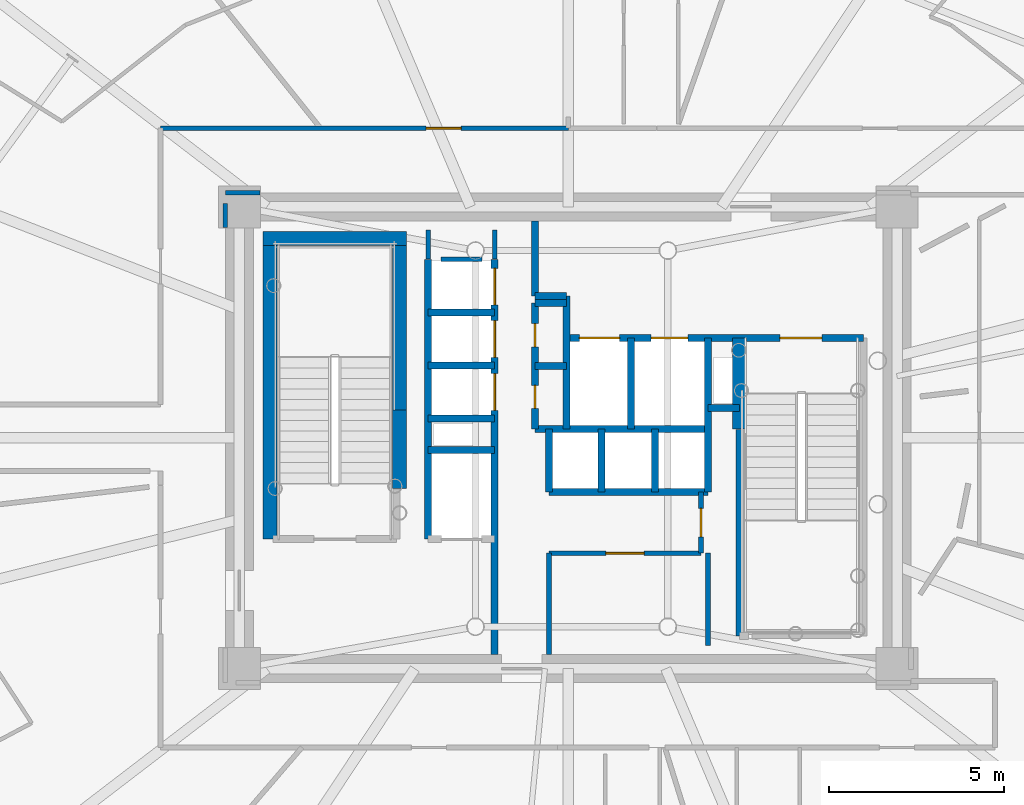
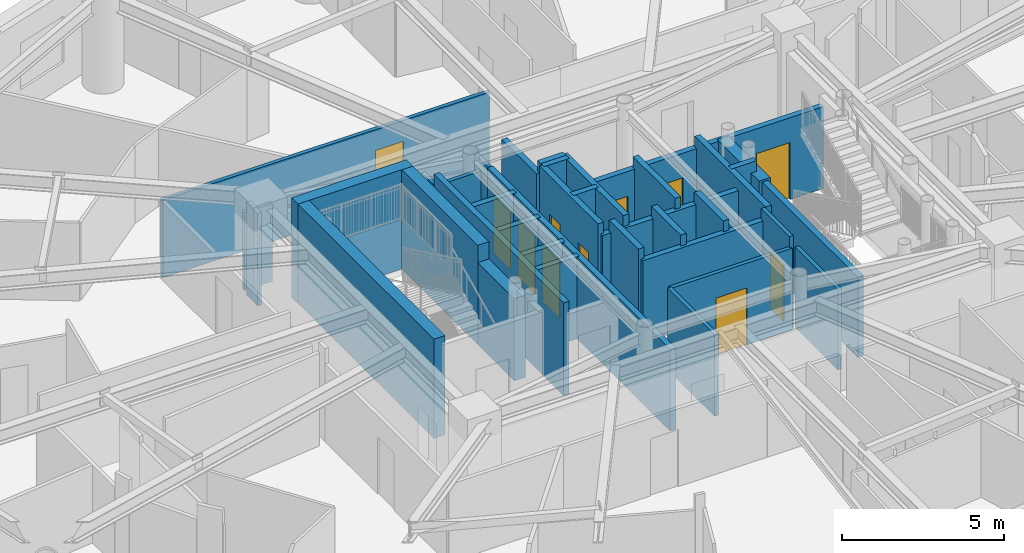
# One storey, part 10 of 19: 37 walls, 11 doors, 11 openings.
"""IFC4 building model written with IfcOpenShell, lengths in metres."""

import ifcopenshell
import ifcopenshell.guid

model = None  # the IFC model being written
_history = None  # IfcOwnerHistory: only IFC2X3 demands one
_inside = {}  # id of a spatial element -> (the spatial element, [elements in it])
_under = {}  # id of a project, library or spatial element -> (it, [spatial elements below it])
_declared = {}  # id of a project -> (the project, [libraries it declares])
_typed = {}  # id of a type object -> (the type object, [elements of that type])
_made_of = {}  # id of a material, layer set ... -> (it, [elements and type objects made of it])


def new_model(schema):
    """Start an empty IFC model of exactly this schema.

    Asked for "IFC4X3", IfcOpenShell would pick the latest addendum, in which some entities
    have other attributes; the version numbers below select the first issue.
    IFC2X3 requires an IfcOwnerHistory on every rooted entity: one is made here for all.
    """
    global model, _history
    if schema == "IFC4X3":
        model = ifcopenshell.file(schema_version=(4, 3, 0, 0))
    else:
        model = ifcopenshell.file(schema=schema)
    _inside.clear()
    _under.clear()
    _declared.clear()
    _typed.clear()
    _made_of.clear()
    _history = None
    if model.schema == "IFC2X3":
        org = make("IfcOrganization", Name="unknown")
        user = make(
            "IfcPersonAndOrganization",
            ThePerson=make("IfcPerson", FamilyName="unknown"),
            TheOrganization=org,
        )
        app = make(
            "IfcApplication",
            ApplicationDeveloper=org,
            Version="unknown",
            ApplicationFullName="unknown",
            ApplicationIdentifier="unknown",
        )
        _history = make(
            "IfcOwnerHistory",
            OwningUser=user,
            OwningApplication=app,
            ChangeAction="ADDED",
            CreationDate=0,
        )
    return model


def make(cls, **values):
    """One entity of the class cls with the attributes given. An attribute that is None is left unset."""
    return model.create_entity(
        cls, **{name: value for name, value in values.items() if value is not None}
    )


def rooted(cls, **values):
    """An entity with a GlobalId (a new one), such as an element, a storey or a relation."""
    return make(cls, GlobalId=ifcopenshell.guid.new(), OwnerHistory=_history, **values)


def si_unit(unit_type, name, prefix=None):
    """IfcSIUnit, for example si_unit("LENGTHUNIT", "METRE", prefix="MILLI")."""
    return make("IfcSIUnit", UnitType=unit_type, Prefix=prefix, Name=name)


def assignment(units):
    """IfcUnitAssignment: the units of a project."""
    return None if units is None else make("IfcUnitAssignment", Units=units)


def point(xyz):
    """IfcCartesianPoint."""
    return None if xyz is None else make("IfcCartesianPoint", Coordinates=xyz)


def direction(xyz):
    """IfcDirection."""
    return None if xyz is None else make("IfcDirection", DirectionRatios=xyz)


def frame(location, z_axis=None, x_axis=None):
    """IfcAxis2Placement3D, a coordinate frame: its origin and axes. An axis left out is left unset."""
    return make(
        "IfcAxis2Placement3D",
        Location=point(location),
        Axis=direction(z_axis),
        RefDirection=direction(x_axis),
    )


def frame_2d(location, x_axis=None):
    """IfcAxis2Placement2D, a coordinate frame in the plane: its origin and x axis."""
    return make(
        "IfcAxis2Placement2D", Location=point(location), RefDirection=direction(x_axis)
    )


def origin():
    """The frame at (0, 0, 0) with its axes left unset."""
    return frame((0.0, 0.0, 0.0))


def origin_2d():
    """The frame at (0, 0) in the plane with its x axis left unset."""
    return frame_2d((0.0, 0.0))


def place(relative_to, where):
    """IfcLocalPlacement: puts the frame where relative to a parent placement (None: the world)."""
    return make(
        "IfcLocalPlacement", PlacementRelTo=relative_to, RelativePlacement=where
    )


def context(
    kind, dimensions, precision=None, world=None, true_north=None, identifier=None
):
    """IfcGeometricRepresentationContext, for example the 3D "Model" context."""
    return make(
        "IfcGeometricRepresentationContext",
        ContextIdentifier=identifier,
        ContextType=kind,
        CoordinateSpaceDimension=dimensions,
        Precision=precision,
        WorldCoordinateSystem=world,
        TrueNorth=true_north,
    )


def subcontext(parent, identifier, kind, view, scale=None):
    """IfcGeometricRepresentationSubContext, for example "Body" below "Model"."""
    return make(
        "IfcGeometricRepresentationSubContext",
        ContextIdentifier=identifier,
        ContextType=kind,
        ParentContext=parent,
        TargetScale=scale,
        TargetView=view,
    )


def project(units=None, contexts=None):
    """IfcProject with its units and contexts."""
    return rooted(
        "IfcProject",
        Name="project",
        RepresentationContexts=contexts,
        UnitsInContext=assignment(units),
    )


def spatial(cls, under=None, at=None, **own):
    """A site, building, storey or space (cls), placed at a placement, below another one or the project."""
    s = rooted(cls, ObjectPlacement=at, **own)
    if under is not None:
        _under.setdefault(under.id(), (under, []))[1].append(s)
    return s


def profile(cls, at=None, kind="AREA", **sizes):
    """A parametric profile (cls). Its sizes go by their IFC names, for example OverallWidth=200.0."""
    return make(cls, ProfileType=kind, Position=at, **sizes)


def rectangle(**sizes):
    """IfcRectangleProfileDef."""
    return profile("IfcRectangleProfileDef", **sizes)


def extrude(swept, where, along, depth):
    """IfcExtrudedAreaSolid: the profile swept, set in the frame where, extruded along a direction by depth."""
    return make(
        "IfcExtrudedAreaSolid",
        SweptArea=swept,
        Position=where,
        ExtrudedDirection=direction(along),
        Depth=depth,
    )


def shape(context_of_items, identifier, shape_type, items):
    """IfcShapeRepresentation: the items that make up one representation, for example the "Body"."""
    return make(
        "IfcShapeRepresentation",
        ContextOfItems=context_of_items,
        RepresentationIdentifier=identifier,
        RepresentationType=shape_type,
        Items=items,
    )


def source(mapping_origin, context_of_items, identifier, shape_type, items):
    """IfcRepresentationMap: a shape defined once, which mapped items show again and again."""
    return make(
        "IfcRepresentationMap",
        MappingOrigin=mapping_origin,
        MappedRepresentation=shape(context_of_items, identifier, shape_type, items),
    )


def transform(
    local_origin,
    x_axis=None,
    y_axis=None,
    z_axis=None,
    scale=None,
    scale2=None,
    scale3=None,
    uniform=True,
):
    """IfcCartesianTransformationOperator3D, or its non-uniform kind. x_axis, y_axis, z_axis: its Axis1, 2, 3."""
    if uniform:
        return make(
            "IfcCartesianTransformationOperator3D",
            Axis1=direction(x_axis),
            Axis2=direction(y_axis),
            LocalOrigin=point(local_origin),
            Scale=scale,
            Axis3=direction(z_axis),
        )
    return make(
        "IfcCartesianTransformationOperator3DnonUniform",
        Axis1=direction(x_axis),
        Axis2=direction(y_axis),
        LocalOrigin=point(local_origin),
        Scale=scale,
        Axis3=direction(z_axis),
        Scale2=scale2,
        Scale3=scale3,
    )


def mapped(mapping_source, mapping_target):
    """IfcMappedItem: shows the shape of a source again, moved by a transform."""
    return make(
        "IfcMappedItem", MappingSource=mapping_source, MappingTarget=mapping_target
    )


def material(Name=None, Category=None):
    """IfcMaterial."""
    return make("IfcMaterial", Name=Name, Category=Category)


def layer(
    of_material, thickness, ventilated=None, Name=None, Category=None, Priority=None
):
    """IfcMaterialLayer: one layer of a wall or slab, of a material (None: an air gap)."""
    return make(
        "IfcMaterialLayer",
        Material=of_material,
        LayerThickness=thickness,
        IsVentilated=ventilated,
        Name=Name,
        Category=Category,
        Priority=Priority,
    )


def layer_set(layers, Name=None):
    """IfcMaterialLayerSet."""
    return make("IfcMaterialLayerSet", MaterialLayers=layers, LayerSetName=Name)


def made_of(thing, what):
    """Note that an element or type object is made of a material, layer set ...; save() writes the relation."""
    if what is not None:
        _made_of.setdefault(what.id(), (what, []))[1].append(thing)
    return thing


def type_object(cls, material=None, **own):
    """A type object (cls), such as IfcWallType, which elements share."""
    return made_of(rooted(cls, **own), material)


def element(
    cls,
    number,
    at=None,
    inside=None,
    cuts=None,
    type_object=None,
    material=None,
    context=None,
    identifier="Body",
    shape_type=None,
    held_by="IfcProductDefinitionShape",
    body=None,
    shapes=None,
    **own,
):
    """One element of the class cls, such as IfcWall. Its Tag is "e" and its number.

    at: its placement. inside: the storey or other place that contains it. cuts: it is an
    opening in that element (IfcRelVoidsElement). A single representation is given by context,
    identifier, shape_type and body (its items); several are given by shapes. held_by: the class
    of the entity that holds the representations. save() writes the other relations.
    """
    e = rooted(cls, Tag="e%d" % number, ObjectPlacement=at, **own)
    if body is not None:
        shapes = [shape(context, identifier, shape_type, body)]
    if shapes is not None:
        e.Representation = make(held_by, Representations=shapes)
    if inside is not None:
        _inside.setdefault(inside.id(), (inside, []))[1].append(e)
    if cuts is not None:
        rooted(
            "IfcRelVoidsElement", RelatingBuildingElement=cuts, RelatedOpeningElement=e
        )
    if type_object is not None:
        _typed.setdefault(type_object.id(), (type_object, []))[1].append(e)
    return made_of(e, material)


def fill(opening, filler):
    """IfcRelFillsElement: the door or window that sits in an opening."""
    return rooted(
        "IfcRelFillsElement",
        RelatingOpeningElement=opening,
        RelatedBuildingElement=filler,
    )


def aggregate(whole, parts):
    """IfcRelAggregates: a whole, such as a stair, and the parts it consists of."""
    return rooted("IfcRelAggregates", RelatingObject=whole, RelatedObjects=parts)


def save(model, path):
    """Write the relations noted so far, then the file.

    IfcRelAggregates (storeys below a building ...), IfcRelContainedInSpatialStructure (elements
    in a storey), IfcRelDefinesByType, IfcRelAssociatesMaterial and IfcRelDeclares: one each for
    every whole, place, type object, material and project.
    """
    for whole, parts in _under.values():
        aggregate(whole, parts)
    for where, things in _inside.values():
        rooted(
            "IfcRelContainedInSpatialStructure",
            RelatedElements=things,
            RelatingStructure=where,
        )
    for kind, things in _typed.values():
        rooted("IfcRelDefinesByType", RelatedObjects=things, RelatingType=kind)
    for what, things in _made_of.values():
        rooted("IfcRelAssociatesMaterial", RelatedObjects=things, RelatingMaterial=what)
    for by, libraries in _declared.values():
        rooted("IfcRelDeclares", RelatingContext=by, RelatedDefinitions=libraries)
    model.write(path)


model = new_model("IFC4")

# Units and contexts
model_context = context("Model", 3, precision=1e-05, world=origin(), true_north=direction((0.0, 1.0)))
body_context = subcontext(model_context, "Body", "Model", "MODEL_VIEW")
ifc_project = project(units=[si_unit("LENGTHUNIT", "METRE"), si_unit("AREAUNIT", "SQUARE_METRE"), si_unit("VOLUMEUNIT", "CUBIC_METRE"), si_unit("PLANEANGLEUNIT", "RADIAN"), si_unit("MASSUNIT", "GRAM", prefix="KILO")], contexts=[model_context])

# Site, building, storey
site_placement = place(None, origin())
site = spatial("IfcSite", under=ifc_project, at=site_placement, CompositionType="ELEMENT")
building_placement = place(site_placement, origin())
building = spatial("IfcBuilding", under=site, at=building_placement, Name="Linh Dai School and Residence Tower", CompositionType="ELEMENT")
storey_placement = place(building_placement, frame((0.0, 0.0, 174.89990234375)))
storey = spatial("IfcBuildingStorey", under=building, at=storey_placement, Name="L42", CompositionType="ELEMENT", Elevation=174.89990234375)

# Wall, opening, door
ifc_material_1 = material(Name="Autoclaved Aerated Concrete Blockwork", Category="masonry")
ifc_layer_1 = layer(ifc_material_1, 0.135009765625)
ifc_layer_set_1 = layer_set([ifc_layer_1], Name="Autoclaved Aerated Concrete Blockwork")
wall_type_1 = type_object("IfcWallType", Name="IW-CORR-135-EI90", PredefinedType="PARTITIONING", material=ifc_layer_set_1)
wall_1_placement = place(storey_placement, frame((24.35009765625, 35.85009765625, 0.0), z_axis=(0.0, 0.0, 1.0), x_axis=(1.0, 0.0, 0.0)))
wall_1 = element("IfcWall", 1, at=wall_1_placement, inside=storey, type_object=wall_type_1, Name="L42 Interior Partition Wall 024", PredefinedType="PARTITIONING", context=body_context, shape_type="SweptSolid", body=[
    extrude(rectangle(XDim=11.654052734375, YDim=0.135009765625, at=frame_2d((5.8271484375, 0.0))), origin(), (0.0, 0.0, 1.0), 2.93505859375),
])
opening_1_placement = place(wall_1_placement, frame((7.59228515625, 0.0, 0.0)))
opening_1 = element("IfcOpeningElement", 2, at=opening_1_placement, cuts=wall_1, Name="Opening D03", PredefinedType="OPENING", context=body_context, shape_type="SweptSolid", body=[
    extrude(rectangle(XDim=1.0, YDim=2.14990234375, at=origin_2d()), frame((0.5, 0.07763671875, 1.074951171875), z_axis=(0.0, -1.0, 0.0), x_axis=(1.0, 0.0, 0.0)), (0.0, 0.0, 1.0), 0.155029296875),
])
ifc_material_2 = material(Name="Fire-Rated Solid Timber Entrance Door", Category="wood")
door_type_1 = type_object("IfcDoorType", Name="DR-FLAT-1000x2150-FD60S", OperationType="NOTDEFINED", PredefinedType="DOOR", material=ifc_material_2)
shared_shape_1 = source(origin(), body_context, "Body", "SweptSolid", [
    extrude(rectangle(XDim=1.0, YDim=2.14990234375, at=origin_2d()), frame((0.5, 0.02490234375, 1.074951171875), z_axis=(0.0, -1.0, 0.0), x_axis=(1.0, 0.0, 0.0)), (0.0, 0.0, 1.0), 0.050048828125),
])
door_1_placement = place(opening_1_placement, origin())
door_1 = element("IfcDoor", 3, at=door_1_placement, inside=storey, type_object=door_type_1, Name="L42 U4202 Apartment Entrance Door", OperationType="SINGLE_SWING_RIGHT", OverallHeight=2.14990234375, OverallWidth=1.0, PredefinedType="DOOR", context=body_context, shape_type="MappedRepresentation", body=[
    mapped(shared_shape_1, transform((0.0, 0.0, 0.0), x_axis=(1.0, 0.0, 0.0), y_axis=(0.0, 1.0, 0.0), z_axis=(0.0, 0.0, 1.0), scale=1.0)),
])
fill(opening_1, door_1)

# Wall
wall_2_placement = place(storey_placement, frame((35.449951171875, 20.800048828125, 0.0), z_axis=(0.0, 0.0, 1.0), x_axis=(0.0, 1.0, 0.0)))
element("IfcWall", 4, at=wall_2_placement, inside=storey, type_object=wall_type_1, Name="L42 Interior Partition Wall 047", PredefinedType="PARTITIONING", context=body_context, shape_type="SweptSolid", body=[
    extrude(rectangle(XDim=2.89990234375, YDim=0.135009765625, at=frame_2d((1.449951171875, 0.0))), origin(), (0.0, 0.0, 1.0), 3.085205078125),
])

# Wall, opening, door
wall_3_placement = place(storey_placement, frame((35.449951171875, 23.699951171875, 0.0), z_axis=(0.0, 0.0, 1.0), x_axis=(1.0, 0.0, 0.0)))
wall_3 = element("IfcWall", 5, at=wall_3_placement, inside=storey, type_object=wall_type_1, Name="L42 Interior Partition Wall 048", PredefinedType="PARTITIONING", context=body_context, shape_type="SweptSolid", body=[
    extrude(rectangle(XDim=4.35009765625, YDim=0.135009765625, at=frame_2d((2.175048828125, 0.0))), origin(), (0.0, 0.0, 1.0), 3.085205078125),
])
opening_2_placement = place(wall_3_placement, frame((1.625, 0.0, 0.0)))
opening_2 = element("IfcOpeningElement", 6, at=opening_2_placement, cuts=wall_3, Name="Opening D07", PredefinedType="OPENING", context=body_context, shape_type="SweptSolid", body=[
    extrude(rectangle(XDim=1.10009765625, YDim=2.14990234375, at=origin_2d()), frame((0.550048828125, 0.07763671875, 1.074951171875), z_axis=(0.0, -1.0, 0.0), x_axis=(1.0, 0.0, 0.0)), (0.0, 0.0, 1.0), 0.155029296875),
])
ifc_material_3 = material(Name="Fire-Rated Louvred Steel Plant Door", Category="steel")
door_type_2 = type_object("IfcDoorType", Name="DR-PLT-1100x2150-FD60S", OperationType="NOTDEFINED", PredefinedType="DOOR", material=ifc_material_3)
shared_shape_2 = source(origin(), body_context, "Body", "SweptSolid", [
    extrude(rectangle(XDim=1.10009765625, YDim=2.14990234375, at=origin_2d()), frame((0.550048828125, 0.02490234375, 1.074951171875), z_axis=(0.0, -1.0, 0.0), x_axis=(1.0, 0.0, 0.0)), (0.0, 0.0, 1.0), 0.050048828125),
])
door_2_placement = place(opening_2_placement, origin())
door_2 = element("IfcDoor", 7, at=door_2_placement, inside=storey, type_object=door_type_2, Name="L42 Tenant Metering and BMS Room Door", OperationType="SINGLE_SWING_LEFT", OverallHeight=2.14990234375, OverallWidth=1.10009765625, PredefinedType="DOOR", context=body_context, shape_type="MappedRepresentation", body=[
    mapped(shared_shape_2, transform((0.0, 0.0, 0.0), x_axis=(1.0, 0.0, 0.0), y_axis=(0.0, 1.0, 0.0), z_axis=(0.0, 0.0, 1.0), scale=1.0)),
])
fill(opening_2, door_2)

wall_4_placement = place(storey_placement, frame((39.800048828125, 23.699951171875, 0.0), z_axis=(0.0, 0.0, 1.0), x_axis=(0.0, 1.0, 0.0)))
wall_4 = element("IfcWall", 8, at=wall_4_placement, inside=storey, type_object=wall_type_1, Name="L42 Interior Partition Wall 068", PredefinedType="PARTITIONING", context=body_context, shape_type="SweptSolid", body=[
    extrude(rectangle(XDim=1.75, YDim=0.135009765625, at=frame_2d((0.875, 0.0))), origin(), (0.0, 0.0, 1.0), 3.5),
])
opening_3_placement = place(wall_4_placement, frame((0.465087890625, 0.0, 0.0)))
opening_3 = element("IfcOpeningElement", 9, at=opening_3_placement, cuts=wall_4, Name="Opening D06", PredefinedType="OPENING", context=body_context, shape_type="SweptSolid", body=[
    extrude(rectangle(XDim=0.820068359375, YDim=2.10009765625, at=origin_2d()), frame((0.41015625, 0.07763671875, 1.050048828125), z_axis=(0.0, -1.0, 0.0), x_axis=(1.0, 0.0, 0.0)), (0.0, 0.0, 1.0), 0.155029296875),
])
ifc_material_4 = material(Name="Moisture-Resistant Timber Bathroom Door", Category="wood")
door_type_3 = type_object("IfcDoorType", Name="DR-WET-820x2100", OperationType="NOTDEFINED", PredefinedType="DOOR", material=ifc_material_4)
shared_shape_3 = source(origin(), body_context, "Body", "SweptSolid", [
    extrude(rectangle(XDim=0.820068359375, YDim=2.10009765625, at=origin_2d()), frame((0.41015625, 0.02490234375, 1.050048828125), z_axis=(0.0, -1.0, 0.0), x_axis=(1.0, 0.0, 0.0)), (0.0, 0.0, 1.0), 0.050048828125),
])
door_3_placement = place(opening_3_placement, origin())
door_3 = element("IfcDoor", 10, at=door_3_placement, inside=storey, type_object=door_type_3, Name="L42 Core Housekeeping Store Door", OperationType="SINGLE_SWING_RIGHT", OverallHeight=2.10009765625, OverallWidth=0.820068359375, PredefinedType="DOOR", context=body_context, shape_type="MappedRepresentation", body=[
    mapped(shared_shape_3, transform((0.0, 0.0, 0.0), x_axis=(1.0, 0.0, 0.0), y_axis=(0.0, 1.0, 0.0), z_axis=(0.0, 0.0, 1.0), scale=1.0)),
])
fill(opening_3, door_3)

# Walls
wall_5_placement = place(storey_placement, frame((32.360107421875, 32.10009765625, 0.0), z_axis=(0.0, 0.0, 1.0), x_axis=(1.0, 0.0, 0.0)))
element("IfcWall", 11, at=wall_5_placement, inside=storey, type_object=wall_type_1, Name="L42 Interior Partition Wall 100", PredefinedType="PARTITIONING", context=body_context, shape_type="SweptSolid", body=[
    extrude(rectangle(XDim=1.179931640625, YDim=0.135009765625, at=frame_2d((0.58984375, 0.0))), origin(), (0.0, 0.0, 1.0), 3.085205078125),
])
wall_6_placement = place(storey_placement, frame((40.0, 23.699951171875, 0.0), z_axis=(0.0, 0.0, 1.0), x_axis=(0.0, -1.0, 0.0)))
element("IfcWall", 12, at=wall_6_placement, inside=storey, type_object=wall_type_1, Name="L42 Interior Partition Wall 101", PredefinedType="PARTITIONING", context=body_context, shape_type="SweptSolid", body=[
    extrude(rectangle(XDim=2.639892578125, YDim=0.135009765625, at=frame_2d((1.31982421875, 0.0))), origin(), (0.0, 0.0, 1.0), 3.03515625),
])
wall_7_placement = place(storey_placement, frame((32.0, 32.93994140625, 0.0), z_axis=(0.0, 0.0, 1.0), x_axis=(0.0, -1.0, 0.0)))
element("IfcWall", 13, at=wall_7_placement, inside=storey, type_object=wall_type_1, Name="L42 Interior Partition Wall 102", PredefinedType="PARTITIONING", context=body_context, shape_type="SweptSolid", body=[
    extrude(rectangle(XDim=0.829833984375, YDim=0.135009765625, at=frame_2d((0.4150390625, 0.0))), origin(), (0.0, 0.0, 1.0), 3.03515625),
])
wall_8_placement = place(storey_placement, frame((33.89990234375, 32.110107421875, 0.0), z_axis=(0.0, 0.0, 1.0), x_axis=(0.0, 1.0, 0.0)))
element("IfcWall", 14, at=wall_8_placement, inside=storey, type_object=wall_type_1, Name="L42 Interior Partition Wall 103", PredefinedType="PARTITIONING", context=body_context, shape_type="SweptSolid", body=[
    extrude(rectangle(XDim=0.829833984375, YDim=0.135009765625, at=frame_2d((0.4150390625, 0.0))), origin(), (0.0, 0.0, 1.0), 3.085205078125),
])
wall_9_placement = place(storey_placement, frame((27.18994140625, 34.0, 0.0), z_axis=(0.0, 0.0, 1.0), x_axis=(-1.0, 0.0, 0.0)))
element("IfcWall", 15, at=wall_9_placement, inside=storey, type_object=wall_type_1, Name="L42 Interior Partition Wall 108", PredefinedType="PARTITIONING", context=body_context, shape_type="SweptSolid", body=[
    extrude(rectangle(XDim=0.989990234375, YDim=0.135009765625, at=frame_2d((0.4951171875, 0.0))), origin(), (0.0, 0.0, 1.0), 2.93505859375),
])
wall_10_placement = place(storey_placement, frame((26.199951171875, 33.6923828125, 0.0), z_axis=(0.0, 0.0, 1.0), x_axis=(0.0, -1.0, 0.0)))
element("IfcWall", 16, at=wall_10_placement, inside=storey, type_object=wall_type_1, Name="L42 Interior Partition Wall 109", PredefinedType="PARTITIONING", context=body_context, shape_type="SweptSolid", body=[
    extrude(rectangle(XDim=0.682373046875, YDim=0.135009765625, at=frame_2d((0.34130859375, 0.0))), origin(), (0.0, 0.0, 1.0), 3.5),
])
ifc_material_5 = material(Name="Concrete B45 (C35/45)", Category="concrete")
ifc_layer_2 = layer(ifc_material_5, 0.199951171875)
ifc_layer_set_2 = layer_set([ifc_layer_2], Name="Concrete B45 (C35/45)")
wall_type_2 = type_object("IfcWallType", Name="IW-SHAFT-200-EI120", PredefinedType="PARTITIONING", material=ifc_layer_set_2)
wall_11_placement = place(storey_placement, frame((32.0, 24.10009765625, 0.0), z_axis=(0.0, 0.0, 1.0), x_axis=(0.0, 1.0, 0.0)))
element("IfcWall", 17, at=wall_11_placement, inside=storey, type_object=wall_type_2, Name="L42 Interior Partition Wall 033", PredefinedType="PARTITIONING", context=body_context, shape_type="SweptSolid", body=[
    extrude(rectangle(XDim=8.0, YDim=0.199951171875, at=frame_2d((4.0, 0.0))), origin(), (0.0, 0.0, 1.0), 3.5),
])
for number, where, z_axis, x_axis, name in (
    (18, (32.0, 26.64990234375, 0.0), (0.0, 0.0, 1.0), (1.0, 0.0, 0.0), "L42 Interior Partition Wall 035"),
    (19, (32.0, 27.550048828125, 0.0), (0.0, 0.0, 1.0), (1.0, 0.0, 0.0), "L42 Interior Partition Wall 036"),
    (20, (32.0, 29.06005859375, 0.0), (0.0, 0.0, 1.0), (1.0, 0.0, 0.0), "L42 Interior Partition Wall 037"),
    (21, (32.0, 30.580078125, 0.0), (0.0, 0.0, 1.0), (1.0, 0.0, 0.0), "L42 Interior Partition Wall 038"),
):
    element("IfcWall", number, at=place(storey_placement, frame(where, z_axis=z_axis, x_axis=x_axis)), inside=storey, type_object=wall_type_2, Name=name, PredefinedType="PARTITIONING", context=body_context, shape_type="SweptSolid", body=[
        extrude(rectangle(XDim=1.89990234375, YDim=0.199951171875, at=frame_2d((0.949951171875, 0.0))), origin(), (0.0, 0.0, 1.0), 3.085205078125),
    ])

# Wall, openings, doors
wall_12_placement = place(storey_placement, frame((33.89990234375, 20.800048828125, 0.0), z_axis=(0.0, 0.0, 1.0), x_axis=(0.0, 1.0, 0.0)))
wall_12 = element("IfcWall", 22, at=wall_12_placement, inside=storey, type_object=wall_type_2, Name="L42 Interior Partition Wall 039", PredefinedType="PARTITIONING", context=body_context, shape_type="SweptSolid", body=[
    extrude(rectangle(XDim=11.300048828125, YDim=0.199951171875, at=frame_2d((5.64990234375, 0.0))), origin(), (0.0, 0.0, 1.0), 3.085205078125),
])
opening_4_placement = place(wall_12_placement, frame((6.97998046875, 0.0, 0.0)))
opening_4 = element("IfcOpeningElement", 23, at=opening_4_placement, cuts=wall_12, Name="Opening LD-PL4", PredefinedType="OPENING", context=body_context, shape_type="SweptSolid", body=[
    extrude(rectangle(XDim=1.050048828125, YDim=2.14990234375, at=origin_2d()), frame((0.52490234375, 0.10986328125, 1.074951171875), z_axis=(0.0, -1.0, 0.0), x_axis=(1.0, 0.0, 0.0)), (0.0, 0.0, 1.0), 0.219970703125),
])
opening_5_placement = place(wall_12_placement, frame((8.4951171875, 0.0, 0.0)))
opening_5 = element("IfcOpeningElement", 24, at=opening_5_placement, cuts=wall_12, Name="Opening LD-PL5", PredefinedType="OPENING", context=body_context, shape_type="SweptSolid", body=[
    extrude(rectangle(XDim=1.050048828125, YDim=2.14990234375, at=origin_2d()), frame((0.52490234375, 0.10986328125, 1.074951171875), z_axis=(0.0, -1.0, 0.0), x_axis=(1.0, 0.0, 0.0)), (0.0, 0.0, 1.0), 0.219970703125),
])
opening_6_placement = place(wall_12_placement, frame((9.9951171875, 0.0, 0.0)))
opening_6 = element("IfcOpeningElement", 25, at=opening_6_placement, cuts=wall_12, Name="Opening LD-PL6", PredefinedType="OPENING", context=body_context, shape_type="SweptSolid", body=[
    extrude(rectangle(XDim=1.050048828125, YDim=2.14990234375, at=origin_2d()), frame((0.52490234375, 0.10986328125, 1.074951171875), z_axis=(0.0, -1.0, 0.0), x_axis=(1.0, 0.0, 0.0)), (0.0, 0.0, 1.0), 0.219970703125),
])
ifc_material_6 = material(Name="Brushed Stainless Steel Lift Landing Door", Category="steel")
door_type_4 = type_object("IfcDoorType", Name="DR-LD-PASS-1050x2150", OperationType="DOUBLE_DOOR_SLIDING", PredefinedType="USERDEFINED", material=ifc_material_6)
shared_shape_4 = source(origin(), body_context, "Body", "SweptSolid", [
    extrude(rectangle(XDim=1.050048828125, YDim=2.14990234375, at=origin_2d()), frame((0.52490234375, 0.02490234375, 1.074951171875), z_axis=(0.0, -1.0, 0.0), x_axis=(1.0, 0.0, 0.0)), (0.0, 0.0, 1.0), 0.050048828125),
])
door_4_placement = place(opening_4_placement, origin())
door_4 = element("IfcDoor", 26, at=door_4_placement, inside=storey, type_object=door_type_4, Name="L42 Lift PL4 Sliding Landing Door", ObjectType="LANDING DOOR", OperationType="DOUBLE_DOOR_SLIDING", OverallHeight=2.14990234375, OverallWidth=1.050048828125, PredefinedType="USERDEFINED", context=body_context, shape_type="MappedRepresentation", body=[
    mapped(shared_shape_4, transform((0.0, 0.0, 0.0), x_axis=(1.0, 0.0, 0.0), y_axis=(0.0, 1.0, 0.0), z_axis=(0.0, 0.0, 1.0), scale=1.0)),
])
fill(opening_4, door_4)
door_5_placement = place(opening_5_placement, origin())
door_5 = element("IfcDoor", 27, at=door_5_placement, inside=storey, type_object=door_type_4, Name="L42 Lift PL5 Sliding Landing Door", ObjectType="LANDING DOOR", OperationType="DOUBLE_DOOR_SLIDING", OverallHeight=2.14990234375, OverallWidth=1.050048828125, PredefinedType="USERDEFINED", context=body_context, shape_type="MappedRepresentation", body=[
    mapped(shared_shape_4, transform((0.0, 0.0, 0.0), x_axis=(1.0, 0.0, 0.0), y_axis=(0.0, 1.0, 0.0), z_axis=(0.0, 0.0, 1.0), scale=1.0)),
])
fill(opening_5, door_5)
door_6_placement = place(opening_6_placement, origin())
door_6 = element("IfcDoor", 28, at=door_6_placement, inside=storey, type_object=door_type_4, Name="L42 Lift PL6 Sliding Landing Door", ObjectType="LANDING DOOR", OperationType="DOUBLE_DOOR_SLIDING", OverallHeight=2.14990234375, OverallWidth=1.050048828125, PredefinedType="USERDEFINED", context=body_context, shape_type="MappedRepresentation", body=[
    mapped(shared_shape_4, transform((0.0, 0.0, 0.0), x_axis=(1.0, 0.0, 0.0), y_axis=(0.0, 1.0, 0.0), z_axis=(0.0, 0.0, 1.0), scale=1.0)),
])
fill(opening_6, door_6)

wall_13_placement = place(storey_placement, frame((35.050048828125, 27.25, 0.0), z_axis=(0.0, 0.0, 1.0), x_axis=(0.0, 1.0, 0.0)))
wall_13 = element("IfcWall", 29, at=wall_13_placement, inside=storey, type_object=wall_type_2, Name="L42 Interior Partition Wall 040", PredefinedType="PARTITIONING", context=body_context, shape_type="SweptSolid", body=[
    extrude(rectangle(XDim=3.60009765625, YDim=0.199951171875, at=frame_2d((1.800048828125, 0.0))), origin(), (0.0, 0.0, 1.0), 3.5),
])
opening_7_placement = place(wall_13_placement, frame((0.590087890625, 0.0, 0.0)))
opening_7 = element("IfcOpeningElement", 30, at=opening_7_placement, cuts=wall_13, Name="Opening AD1", PredefinedType="OPENING", context=body_context, shape_type="SweptSolid", body=[
    extrude(rectangle(XDim=0.659912109375, YDim=2.050048828125, at=origin_2d()), frame((0.330078125, 0.10986328125, 1.02490234375), z_axis=(0.0, -1.0, 0.0), x_axis=(1.0, 0.0, 0.0)), (0.0, 0.0, 1.0), 0.219970703125),
])
opening_8_placement = place(wall_13_placement, frame((2.35009765625, 0.0, 0.0)))
opening_8 = element("IfcOpeningElement", 31, at=opening_8_placement, cuts=wall_13, Name="Opening AD1", PredefinedType="OPENING", context=body_context, shape_type="SweptSolid", body=[
    extrude(rectangle(XDim=0.659912109375, YDim=2.050048828125, at=origin_2d()), frame((0.330078125, 0.10986328125, 1.02490234375), z_axis=(0.0, -1.0, 0.0), x_axis=(1.0, 0.0, 0.0)), (0.0, 0.0, 1.0), 0.219970703125),
])
ifc_material_7 = material(Name="Fire-Rated Steel Riser Access Door", Category="steel")
door_type_5 = type_object("IfcDoorType", Name="DR-ACC-660x2050-FD90S", OperationType="NOTDEFINED", PredefinedType="USERDEFINED", material=ifc_material_7)
shared_shape_5 = source(origin(), body_context, "Body", "SweptSolid", [
    extrude(rectangle(XDim=0.659912109375, YDim=2.050048828125, at=origin_2d()), frame((0.330078125, 0.02490234375, 1.02490234375), z_axis=(0.0, -1.0, 0.0), x_axis=(1.0, 0.0, 0.0)), (0.0, 0.0, 1.0), 0.050048828125),
])
door_7_placement = place(opening_7_placement, origin())
door_7 = element("IfcDoor", 32, at=door_7_placement, inside=storey, type_object=door_type_5, Name="L42 Telecom and Data Riser Access Door", ObjectType="ACCESS DOOR", OperationType="SINGLE_SWING_LEFT", OverallHeight=2.050048828125, OverallWidth=0.659912109375, PredefinedType="USERDEFINED", context=body_context, shape_type="MappedRepresentation", body=[
    mapped(shared_shape_5, transform((0.0, 0.0, 0.0), x_axis=(1.0, 0.0, 0.0), y_axis=(0.0, 1.0, 0.0), z_axis=(0.0, 0.0, 1.0), scale=1.0)),
])
fill(opening_7, door_7)
door_8_placement = place(opening_8_placement, origin())
door_8 = element("IfcDoor", 33, at=door_8_placement, inside=storey, type_object=door_type_5, Name="L42 Mechanical and Plumbing Riser Access Door", ObjectType="ACCESS DOOR", OperationType="SINGLE_SWING_RIGHT", OverallHeight=2.050048828125, OverallWidth=0.659912109375, PredefinedType="USERDEFINED", context=body_context, shape_type="MappedRepresentation", body=[
    mapped(shared_shape_5, transform((0.0, 0.0, 0.0), x_axis=(1.0, 0.0, 0.0), y_axis=(0.0, 1.0, 0.0), z_axis=(0.0, 0.0, 1.0), scale=1.0)),
])
fill(opening_8, door_8)

# Walls
wall_14_placement = place(storey_placement, frame((35.050048828125, 27.25, 0.0), z_axis=(0.0, 0.0, 1.0), x_axis=(1.0, 0.0, 0.0)))
element("IfcWall", 34, at=wall_14_placement, inside=storey, type_object=wall_type_2, Name="L42 Interior Partition Wall 041", PredefinedType="PARTITIONING", context=body_context, shape_type="SweptSolid", body=[
    extrude(rectangle(XDim=4.949951171875, YDim=0.199951171875, at=frame_2d((2.47509765625, 0.0))), origin(), (0.0, 0.0, 1.0), 3.085205078125),
])
for number, where, z_axis, x_axis, name in (
    (35, (35.050048828125, 29.050048828125, 0.0), (0.0, 0.0, 1.0), (1.0, 0.0, 0.0), "L42 Interior Partition Wall 042"),
    (36, (35.050048828125, 30.85009765625, 0.0), (0.0, 0.0, 1.0), (1.0, 0.0, 0.0), "L42 Interior Partition Wall 043"),
):
    element("IfcWall", number, at=place(storey_placement, frame(where, z_axis=z_axis, x_axis=x_axis)), inside=storey, type_object=wall_type_2, Name=name, PredefinedType="PARTITIONING", context=body_context, shape_type="SweptSolid", body=[
        extrude(rectangle(XDim=0.89990234375, YDim=0.199951171875, at=frame_2d((0.449951171875, 0.0))), origin(), (0.0, 0.0, 1.0), 3.5),
    ])
wall_15_placement = place(storey_placement, frame((35.050048828125, 31.050048828125, 0.0), z_axis=(0.0, 0.0, 1.0), x_axis=(0.0, 1.0, 0.0)))
element("IfcWall", 37, at=wall_15_placement, inside=storey, type_object=wall_type_2, Name="L42 Interior Partition Wall 044", PredefinedType="PARTITIONING", context=body_context, shape_type="SweptSolid", body=[
    extrude(rectangle(XDim=2.14990234375, YDim=0.199951171875, at=frame_2d((1.074951171875, 0.0))), origin(), (0.0, 0.0, 1.0), 3.085205078125),
])
wall_16_placement = place(storey_placement, frame((35.050048828125, 31.050048828125, 0.0), z_axis=(0.0, 0.0, 1.0), x_axis=(1.0, 0.0, 0.0)))
element("IfcWall", 38, at=wall_16_placement, inside=storey, type_object=wall_type_2, Name="L42 Interior Partition Wall 045", PredefinedType="PARTITIONING", context=body_context, shape_type="SweptSolid", body=[
    extrude(rectangle(XDim=0.89990234375, YDim=0.199951171875, at=frame_2d((0.449951171875, 0.0))), origin(), (0.0, 0.0, 1.0), 3.5),
])
wall_17_placement = place(storey_placement, frame((35.449951171875, 25.449951171875, 0.0), z_axis=(0.0, 0.0, 1.0), x_axis=(0.0, 1.0, 0.0)))
element("IfcWall", 39, at=wall_17_placement, inside=storey, type_object=wall_type_2, Name="L42 Interior Partition Wall 049", PredefinedType="PARTITIONING", context=body_context, shape_type="SweptSolid", body=[
    extrude(rectangle(XDim=1.800048828125, YDim=0.199951171875, at=frame_2d((0.89990234375, 0.0))), origin(), (0.0, 0.0, 1.0), 3.5),
])
wall_18_placement = place(storey_placement, frame((35.449951171875, 25.449951171875, 0.0), z_axis=(0.0, 0.0, 1.0), x_axis=(1.0, 0.0, 0.0)))
element("IfcWall", 40, at=wall_18_placement, inside=storey, type_object=wall_type_2, Name="L42 Interior Partition Wall 050", PredefinedType="PARTITIONING", context=body_context, shape_type="SweptSolid", body=[
    extrude(rectangle(XDim=4.550048828125, YDim=0.199951171875, at=frame_2d((2.27490234375, 0.0))), origin(), (0.0, 0.0, 1.0), 3.085205078125),
])
wall_19_placement = place(storey_placement, frame((35.949951171875, 27.25, 0.0), z_axis=(0.0, 0.0, 1.0), x_axis=(0.0, 1.0, 0.0)))
element("IfcWall", 41, at=wall_19_placement, inside=storey, type_object=wall_type_2, Name="L42 Interior Partition Wall 052", PredefinedType="PARTITIONING", context=body_context, shape_type="SweptSolid", body=[
    extrude(rectangle(XDim=3.800048828125, YDim=0.199951171875, at=frame_2d((1.89990234375, 0.0))), origin(), (0.0, 0.0, 1.0), 3.5),
])

# Wall, openings, doors
wall_20_placement = place(storey_placement, frame((35.949951171875, 29.85009765625, 0.0), z_axis=(0.0, 0.0, 1.0), x_axis=(1.0, 0.0, 0.0)))
wall_20 = element("IfcWall", 42, at=wall_20_placement, inside=storey, type_object=wall_type_2, Name="L42 Interior Partition Wall 053", PredefinedType="PARTITIONING", context=body_context, shape_type="SweptSolid", body=[
    extrude(rectangle(XDim=8.489990234375, YDim=0.199951171875, at=frame_2d((4.2451171875, 0.0))), origin(), (0.0, 0.0, 1.0), 3.085205078125),
])
opening_9_placement = place(wall_20_placement, frame((6.10009765625, 0.0, 0.0)))
opening_9 = element("IfcOpeningElement", 43, at=opening_9_placement, cuts=wall_20, Name="Opening D01", PredefinedType="OPENING", context=body_context, shape_type="SweptSolid", body=[
    extrude(rectangle(XDim=1.199951171875, YDim=2.14990234375, at=origin_2d()), frame((0.60009765625, 0.10986328125, 1.074951171875), z_axis=(0.0, -1.0, 0.0), x_axis=(1.0, 0.0, 0.0)), (0.0, 0.0, 1.0), 0.219970703125),
])
opening_10_placement = place(wall_20_placement, frame((0.3701171875, 0.0, 0.0)))
opening_10 = element("IfcOpeningElement", 44, at=opening_10_placement, cuts=wall_20, Name="Opening LD-FF1", PredefinedType="OPENING", context=body_context, shape_type="SweptSolid", body=[
    extrude(rectangle(XDim=1.14990234375, YDim=2.14990234375, at=origin_2d()), frame((0.574951171875, 0.10986328125, 1.074951171875), z_axis=(0.0, -1.0, 0.0), x_axis=(1.0, 0.0, 0.0)), (0.0, 0.0, 1.0), 0.219970703125),
])
opening_11_placement = place(wall_20_placement, frame((2.425048828125, 0.0, 0.0)))
opening_11 = element("IfcOpeningElement", 45, at=opening_11_placement, cuts=wall_20, Name="Opening LD-SV1", PredefinedType="OPENING", context=body_context, shape_type="SweptSolid", body=[
    extrude(rectangle(XDim=1.050048828125, YDim=2.14990234375, at=origin_2d()), frame((0.52490234375, 0.10986328125, 1.074951171875), z_axis=(0.0, -1.0, 0.0), x_axis=(1.0, 0.0, 0.0)), (0.0, 0.0, 1.0), 0.219970703125),
])
ifc_material_8 = material(Name="Fire-Rated Steel Door Leaf", Category="steel")
door_type_6 = type_object("IfcDoorType", Name="DR-STAIR-1200x2150-FD90S", OperationType="NOTDEFINED", PredefinedType="DOOR", material=ifc_material_8)
shared_shape_6 = source(origin(), body_context, "Body", "SweptSolid", [
    extrude(rectangle(XDim=1.199951171875, YDim=2.14990234375, at=origin_2d()), frame((0.60009765625, 0.02490234375, 1.074951171875), z_axis=(0.0, -1.0, 0.0), x_axis=(1.0, 0.0, 0.0)), (0.0, 0.0, 1.0), 0.050048828125),
])
door_9_placement = place(opening_9_placement, origin())
door_9 = element("IfcDoor", 46, at=door_9_placement, inside=storey, type_object=door_type_6, Name="L42 Core Smokeproof Exit Stair ST2 Door", OperationType="SINGLE_SWING_LEFT", OverallHeight=2.14990234375, OverallWidth=1.199951171875, PredefinedType="DOOR", context=body_context, shape_type="MappedRepresentation", body=[
    mapped(shared_shape_6, transform((0.0, 0.0, 0.0), x_axis=(1.0, 0.0, 0.0), y_axis=(0.0, 1.0, 0.0), z_axis=(0.0, 0.0, 1.0), scale=1.0)),
])
fill(opening_9, door_9)
ifc_material_9 = material(Name="Fire-Rated Stainless Steel Firefighting Lift Door", Category="steel")
door_type_7 = type_object("IfcDoorType", Name="DR-LD-FF-1150x2150-FD120", OperationType="DOUBLE_DOOR_SLIDING", PredefinedType="USERDEFINED", material=ifc_material_9)
shared_shape_7 = source(origin(), body_context, "Body", "SweptSolid", [
    extrude(rectangle(XDim=1.14990234375, YDim=2.14990234375, at=origin_2d()), frame((0.574951171875, 0.02490234375, 1.074951171875), z_axis=(0.0, -1.0, 0.0), x_axis=(1.0, 0.0, 0.0)), (0.0, 0.0, 1.0), 0.050048828125),
])
door_10_placement = place(opening_10_placement, origin())
door_10 = element("IfcDoor", 47, at=door_10_placement, inside=storey, type_object=door_type_7, Name="L42 Lift FF1 Sliding Landing Door", ObjectType="LANDING DOOR", OperationType="DOUBLE_DOOR_SLIDING", OverallHeight=2.14990234375, OverallWidth=1.14990234375, PredefinedType="USERDEFINED", context=body_context, shape_type="MappedRepresentation", body=[
    mapped(shared_shape_7, transform((0.0, 0.0, 0.0), x_axis=(1.0, 0.0, 0.0), y_axis=(0.0, 1.0, 0.0), z_axis=(0.0, 0.0, 1.0), scale=1.0)),
])
fill(opening_10, door_10)
door_11_placement = place(opening_11_placement, origin())
door_11 = element("IfcDoor", 48, at=door_11_placement, inside=storey, type_object=door_type_4, Name="L42 Lift SV1 Sliding Landing Door", ObjectType="LANDING DOOR", OperationType="DOUBLE_DOOR_SLIDING", OverallHeight=2.14990234375, OverallWidth=1.050048828125, PredefinedType="USERDEFINED", context=body_context, shape_type="MappedRepresentation", body=[
    mapped(shared_shape_4, transform((0.0, 0.0, 0.0), x_axis=(1.0, 0.0, 0.0), y_axis=(0.0, 1.0, 0.0), z_axis=(0.0, 0.0, 1.0), scale=1.0)),
])
fill(opening_11, door_11)

# Walls
wall_21_placement = place(storey_placement, frame((36.9599609375, 25.449951171875, 0.0), z_axis=(0.0, 0.0, 1.0), x_axis=(0.0, 1.0, 0.0)))
element("IfcWall", 49, at=wall_21_placement, inside=storey, type_object=wall_type_2, Name="L42 Interior Partition Wall 057", PredefinedType="PARTITIONING", context=body_context, shape_type="SweptSolid", body=[
    extrude(rectangle(XDim=1.800048828125, YDim=0.199951171875, at=frame_2d((0.89990234375, 0.0))), origin(), (0.0, 0.0, 1.0), 3.5),
])
wall_22_placement = place(storey_placement, frame((37.800048828125, 27.25, 0.0), z_axis=(0.0, 0.0, 1.0), x_axis=(0.0, 1.0, 0.0)))
element("IfcWall", 50, at=wall_22_placement, inside=storey, type_object=wall_type_2, Name="L42 Interior Partition Wall 060", PredefinedType="PARTITIONING", context=body_context, shape_type="SweptSolid", body=[
    extrude(rectangle(XDim=2.60009765625, YDim=0.199951171875, at=frame_2d((1.300048828125, 0.0))), origin(), (0.0, 0.0, 1.0), 3.5),
])
wall_23_placement = place(storey_placement, frame((38.47998046875, 25.449951171875, 0.0), z_axis=(0.0, 0.0, 1.0), x_axis=(0.0, 1.0, 0.0)))
element("IfcWall", 51, at=wall_23_placement, inside=storey, type_object=wall_type_2, Name="L42 Interior Partition Wall 061", PredefinedType="PARTITIONING", context=body_context, shape_type="SweptSolid", body=[
    extrude(rectangle(XDim=1.800048828125, YDim=0.199951171875, at=frame_2d((0.89990234375, 0.0))), origin(), (0.0, 0.0, 1.0), 3.5),
])
wall_24_placement = place(storey_placement, frame((40.0, 25.449951171875, 0.0), z_axis=(0.0, 0.0, 1.0), x_axis=(0.0, 1.0, 0.0)))
element("IfcWall", 52, at=wall_24_placement, inside=storey, type_object=wall_type_2, Name="L42 Interior Partition Wall 069", PredefinedType="PARTITIONING", context=body_context, shape_type="SweptSolid", body=[
    extrude(rectangle(XDim=4.400146484375, YDim=0.199951171875, at=frame_2d((2.2001953125, 0.0))), origin(), (0.0, 0.0, 1.0), 3.5),
])
wall_25_placement = place(storey_placement, frame((40.0, 27.85009765625, 0.0), z_axis=(0.0, 0.0, 1.0), x_axis=(1.0, 0.0, 0.0)))
element("IfcWall", 53, at=wall_25_placement, inside=storey, type_object=wall_type_2, Name="L42 Interior Partition Wall 070", PredefinedType="PARTITIONING", context=body_context, shape_type="SweptSolid", body=[
    extrude(rectangle(XDim=0.89990234375, YDim=0.199951171875, at=frame_2d((0.449951171875, 0.0))), origin(), (0.0, 0.0, 1.0), 3.5),
])
wall_26_placement = place(storey_placement, frame((40.89990234375, 21.330078125, 0.0), z_axis=(0.0, 0.0, 1.0), x_axis=(0.0, 1.0, 0.0)))
element("IfcWall", 54, at=wall_26_placement, inside=storey, type_object=wall_type_2, Name="L42 Interior Partition Wall 072", PredefinedType="PARTITIONING", context=body_context, shape_type="SweptSolid", body=[
    extrude(rectangle(XDim=5.909912109375, YDim=0.199951171875, at=frame_2d((2.955078125, 0.0))), origin(), (0.0, 0.0, 1.0), 3.03515625),
])
ifc_layer_3 = layer(ifc_material_5, 0.39990234375)
ifc_layer_set_3 = layer_set([ifc_layer_3], Name="Concrete B45 (C35/45)")
wall_type_3 = type_object("IfcWallType", Name="WL-CORE400", PredefinedType="SHEAR", material=ifc_layer_set_3)
wall_27_placement = place(storey_placement, frame((27.47998046875, 24.10009765625, 0.0), z_axis=(0.0, 0.0, 1.0), x_axis=(0.0, 1.0, 0.0)))
element("IfcWall", 55, at=wall_27_placement, inside=storey, type_object=wall_type_3, Name="L42 Core Stair ST1 Bearing Wall W", PredefinedType="SHEAR", context=body_context, shape_type="SweptSolid", body=[
    extrude(rectangle(XDim=8.599853515625, YDim=0.39990234375, at=frame_2d((4.2998046875, 0.0))), origin(), (0.0, 0.0, 1.0), 3.75),
])
wall_28_placement = place(storey_placement, frame((31.179931640625, 27.800048828125, 0.0), z_axis=(0.0, 0.0, 1.0), x_axis=(0.0, 1.0, 0.0)))
element("IfcWall", 56, at=wall_28_placement, inside=storey, type_object=wall_type_3, Name="L42 Core Stair ST1 Bearing Wall E", PredefinedType="SHEAR", context=body_context, shape_type="SweptSolid", body=[
    extrude(rectangle(XDim=4.89990234375, YDim=0.39990234375, at=frame_2d((2.449951171875, 0.0))), origin(), (0.0, 0.0, 1.0), 3.75),
])
wall_29_placement = place(storey_placement, frame((27.280029296875, 32.699951171875, 0.0), z_axis=(0.0, 0.0, 1.0), x_axis=(1.0, 0.0, 0.0)))
element("IfcWall", 57, at=wall_29_placement, inside=storey, type_object=wall_type_3, Name="L42 Core Stair ST1 Bearing Wall N", PredefinedType="SHEAR", context=body_context, shape_type="SweptSolid", body=[
    extrude(rectangle(XDim=4.099853515625, YDim=0.39990234375, at=frame_2d((2.0498046875, 0.0))), origin(), (0.0, 0.0, 1.0), 3.75),
])
wall_30_placement = place(storey_placement, frame((31.179931640625, 25.550048828125, 0.0), z_axis=(0.0, 0.0, 1.0), x_axis=(0.0, 1.0, 0.0)))
element("IfcWall", 58, at=wall_30_placement, inside=storey, type_object=wall_type_3, Name="L42 Internal Core Shear Wall IW", PredefinedType="SHEAR", context=body_context, shape_type="SweptSolid", body=[
    extrude(rectangle(XDim=2.25, YDim=0.39990234375, at=frame_2d((1.125, 0.0))), origin(), (0.0, 0.0, 1.0), 3.10009765625),
])
wall_31_placement = place(storey_placement, frame((40.89990234375, 27.25, 0.0), z_axis=(0.0, 0.0, 1.0), x_axis=(0.0, 1.0, 0.0)))
element("IfcWall", 59, at=wall_31_placement, inside=storey, type_object=wall_type_3, Name="L42 Internal Core Shear Wall IE", PredefinedType="SHEAR", context=body_context, shape_type="SweptSolid", body=[
    extrude(rectangle(XDim=2.60009765625, YDim=0.39990234375, at=frame_2d((1.300048828125, 0.0))), origin(), (0.0, 0.0, 1.0), 3.10009765625),
])

save(model, "model.ifc")
